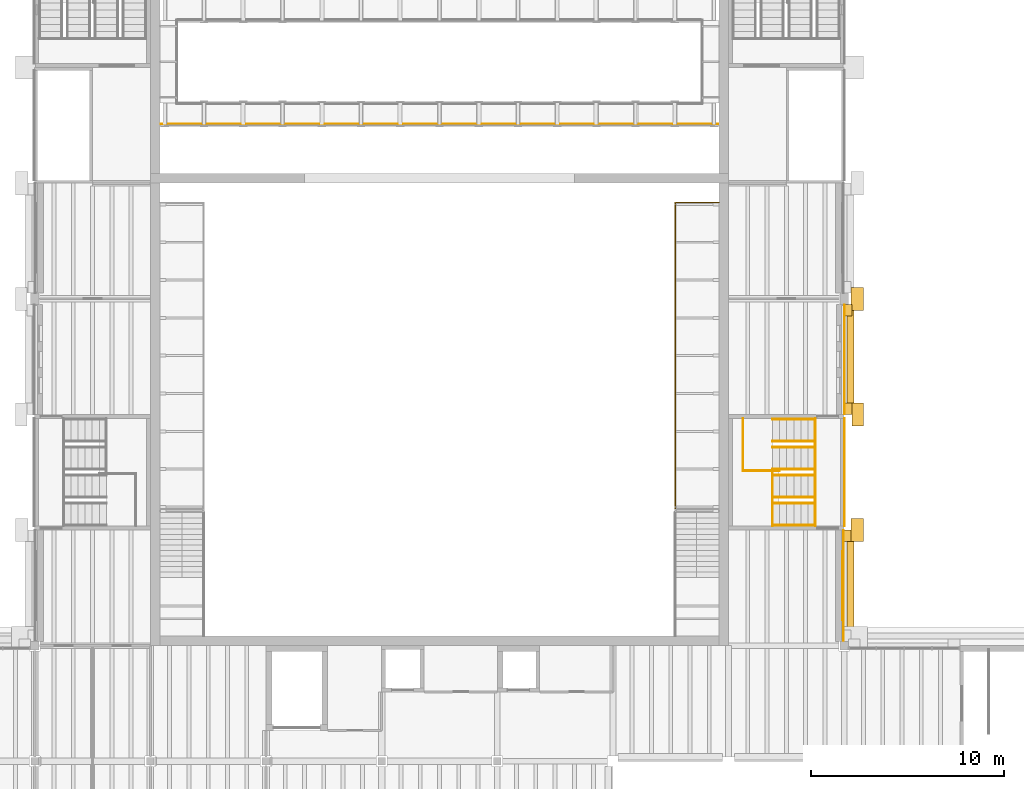
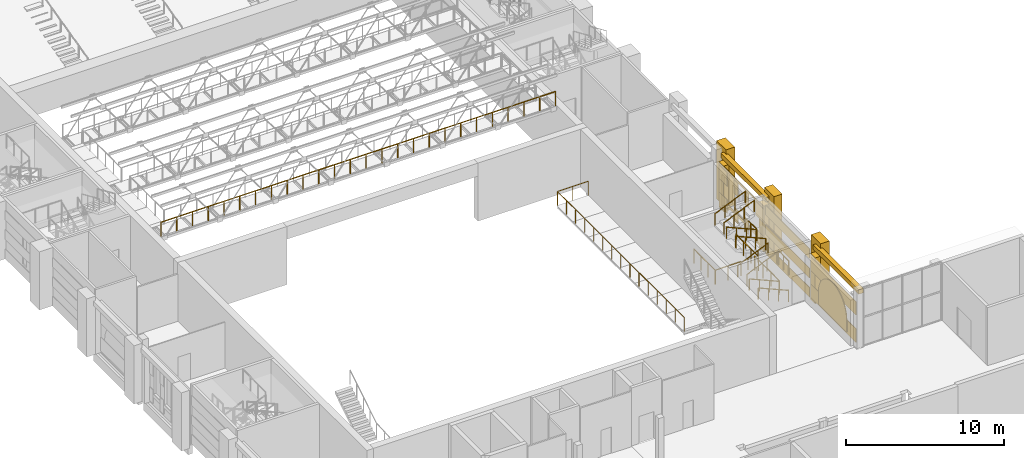
# One storey, part 57 of 70: 24 coverings, 16 railings.
"""IFC4 building model written with IfcOpenShell, lengths in metres."""

from ifc_helpers import new_model, si_unit, direction, frame, origin, origin_2d, place, context, subcontext, project, spatial, polyline, rectangle, circle, outline, extrude, material, layer, layer_set, type_object, element, save


model = new_model("IFC4")

# Units and contexts
model_context = context("Model", 3, precision=1e-05, world=origin(), true_north=direction((0.0, 1.0)))
body_context = subcontext(model_context, "Body", "Model", "MODEL_VIEW")
ifc_project = project(units=[si_unit("LENGTHUNIT", "METRE"), si_unit("AREAUNIT", "SQUARE_METRE"), si_unit("VOLUMEUNIT", "CUBIC_METRE"), si_unit("PLANEANGLEUNIT", "RADIAN"), si_unit("MASSUNIT", "GRAM", prefix="KILO")], contexts=[model_context])

# Site, building, storey
site_placement = place(None, origin())
site = spatial("IfcSite", under=ifc_project, at=site_placement, CompositionType="ELEMENT")
building_placement = place(site_placement, origin())
building = spatial("IfcBuilding", under=site, at=building_placement, Name="Saffron Lane Theatres", CompositionType="ELEMENT")
storey_placement = place(building_placement, frame((0.0, 0.0, 12.0)))
storey = spatial("IfcBuildingStorey", under=building, at=storey_placement, Name="L02", CompositionType="ELEMENT", Elevation=12.0)

# Coverings
ifc_material_1 = material(Name="Masonry pale clay brick", Category="masonry")
ifc_layer_1 = layer(ifc_material_1, 0.050048828125)
ifc_layer_set_1 = layer_set([ifc_layer_1], Name="Masonry pale clay brick")
covering_type_1 = type_object("IfcCoveringType", Name="EX-ARCH PANEL BRICK 50", PredefinedType="CLADDING", material=ifc_layer_set_1)
covering_1_placement = place(storey_placement, frame((53.89990234375, 34.912109375, 1.199951171875), z_axis=(-1.0, 0.0, 0.0), x_axis=(0.0, 0.0, -1.0)))
element("IfcCovering", 1, at=covering_1_placement, inside=storey, type_object=covering_type_1, Name="Blind arch panel 18", PredefinedType="CLADDING", context=body_context, shape_type="SweptSolid", body=[
    extrude(outline(polyline([(0.0, 0.0), (0.89990234375, 0.0), (0.89990234375, 3.60009765625), (0.0, 3.60009765625), (-0.28515625, 3.578125), (-0.56201171875, 3.51220703125), (-0.8271484375, 3.405029296875), (-1.071044921875, 3.258056640625), (-1.291015625, 3.0751953125), (-1.47900390625, 2.861083984375), (-1.633056640625, 2.6201171875), (-1.7470703125, 2.359130859375), (-1.820068359375, 2.0830078125), (-1.85009765625, 1.800048828125), (-1.820068359375, 1.51611328125), (-1.7470703125, 1.239990234375), (-1.633056640625, 0.97900390625), (-1.47900390625, 0.738037109375), (-1.291015625, 0.524169921875), (-1.071044921875, 0.341064453125), (-0.8271484375, 0.194091796875), (-0.56201171875, 0.087158203125), (-0.28515625, 0.02099609375), (0.0, 0.0)])), origin(), (0.0, 0.0, -1.0), 0.050048828125),
])
ifc_material_2 = material(Name="Masonry sandstone", Category="masonry")
ifc_layer_2 = layer(ifc_material_2, 0.0400390625)
ifc_layer_set_2 = layer_set([ifc_layer_2], Name="Masonry sandstone")
covering_type_2 = type_object("IfcCoveringType", Name="EX-BANDING COURSE SANDSTONE 40", PredefinedType="CLADDING", material=ifc_layer_set_2)
for number, where, z_axis, x_axis, name in (
    (2, (54.02001953125, 39.0, 0.0), (0.0, 0.0, 1.0), (0.0, 1.0, 0.0), "Banding course L02"),
    (3, (54.02001953125, 39.0, 1.5), (0.0, 0.0, 1.0), (0.0, 1.0, 0.0), "Banding course L02"),
    (4, (54.02001953125, 39.0, 3.0), (0.0, 0.0, 1.0), (0.0, 1.0, 0.0), "Banding course L02"),
):
    element("IfcCovering", number, at=place(storey_placement, frame(where, z_axis=z_axis, x_axis=x_axis)), inside=storey, type_object=covering_type_2, Name=name, PredefinedType="CLADDING", context=body_context, shape_type="SweptSolid", body=[
        extrude(rectangle(XDim=5.60009765625, YDim=0.0400390625, at=origin_2d()), origin(), (0.0, 0.0, 1.0), 0.75),
    ])
ifc_material_3 = material(Name="Face brick cladding, pale buff", Category="masonry")
ifc_layer_3 = layer(ifc_material_3, 0.0400390625)
ifc_layer_set_3 = layer_set([ifc_layer_3], Name="Face brick cladding, pale buff")
covering_type_3 = type_object("IfcCoveringType", Name="EX-FACE BRICK CLADDING PALE BUFF 40", PredefinedType="CLADDING", material=ifc_layer_set_3)
covering_2_placement = place(storey_placement, frame((54.02001953125, 47.172119140625, 0.14990234375), z_axis=(0.0, 0.0, 1.0), x_axis=(0.0, -1.0, 0.0)))
element("IfcCovering", 5, at=covering_2_placement, inside=storey, type_object=covering_type_3, Name="Cladding course L02", PredefinedType="CLADDING", context=body_context, shape_type="SweptSolid", body=[
    extrude(rectangle(XDim=1.054931640625, YDim=0.0400390625, at=origin_2d()), origin(), (0.0, 0.0, 1.0), 1.050048828125),
])
for number, where, z_axis, x_axis, name in (
    (6, (54.02001953125, 45.52490234375, 0.14990234375), (0.0, 0.0, 1.0), (0.0, -1.0, 0.0), "Cladding course L02"),
    (7, (54.02001953125, 44.175048828125, 0.14990234375), (0.0, 0.0, 1.0), (0.0, -1.0, 0.0), "Cladding course L02"),
):
    element("IfcCovering", number, at=place(storey_placement, frame(where, z_axis=z_axis, x_axis=x_axis)), inside=storey, type_object=covering_type_3, Name=name, PredefinedType="CLADDING", context=body_context, shape_type="SweptSolid", body=[
        extrude(rectangle(XDim=0.4599609375, YDim=0.0400390625, at=origin_2d()), origin(), (0.0, 0.0, 1.0), 1.050048828125),
    ])
for number, where, z_axis, x_axis, name in (
    (8, (54.02001953125, 42.528076171875, 0.14990234375), (0.0, 0.0, 1.0), (0.0, -1.0, 0.0), "Cladding course L02"),
    (9, (54.02001953125, 47.172119140625, 2.25), (0.0, 0.0, 1.0), (0.0, -1.0, 0.0), "Cladding course L02"),
):
    element("IfcCovering", number, at=place(storey_placement, frame(where, z_axis=z_axis, x_axis=x_axis)), inside=storey, type_object=covering_type_3, Name=name, PredefinedType="CLADDING", context=body_context, shape_type="SweptSolid", body=[
        extrude(rectangle(XDim=1.054931640625, YDim=0.0400390625, at=origin_2d()), origin(), (0.0, 0.0, 1.0), 1.050048828125),
    ])
for number, where, z_axis, x_axis, name in (
    (10, (54.02001953125, 45.52490234375, 2.25), (0.0, 0.0, 1.0), (0.0, -1.0, 0.0), "Cladding course L02"),
    (11, (54.02001953125, 44.175048828125, 2.25), (0.0, 0.0, 1.0), (0.0, -1.0, 0.0), "Cladding course L02"),
):
    element("IfcCovering", number, at=place(storey_placement, frame(where, z_axis=z_axis, x_axis=x_axis)), inside=storey, type_object=covering_type_3, Name=name, PredefinedType="CLADDING", context=body_context, shape_type="SweptSolid", body=[
        extrude(rectangle(XDim=0.4599609375, YDim=0.0400390625, at=origin_2d()), origin(), (0.0, 0.0, 1.0), 1.050048828125),
    ])
covering_3_placement = place(storey_placement, frame((54.02001953125, 42.528076171875, 2.25), z_axis=(0.0, 0.0, 1.0), x_axis=(0.0, -1.0, 0.0)))
element("IfcCovering", 12, at=covering_3_placement, inside=storey, type_object=covering_type_3, Name="Cladding course L02", PredefinedType="CLADDING", context=body_context, shape_type="SweptSolid", body=[
    extrude(rectangle(XDim=1.054931640625, YDim=0.0400390625, at=origin_2d()), origin(), (0.0, 0.0, 1.0), 1.050048828125),
])
for number, where, z_axis, x_axis, name in (
    (13, (53.969970703125, 33.113037109375, 0.14990234375), (0.0, 0.0, 1.0), (0.0, -1.0, 0.0), "Cladding course L02"),
    (14, (53.969970703125, 33.113037109375, 2.25), (0.0, 0.0, 1.0), (0.0, -1.0, 0.0), "Cladding course L02"),
):
    element("IfcCovering", number, at=place(storey_placement, frame(where, z_axis=z_axis, x_axis=x_axis)), inside=storey, type_object=covering_type_3, Name=name, PredefinedType="CLADDING", context=body_context, shape_type="SweptSolid", body=[
        extrude(rectangle(XDim=5.77490234375, YDim=0.0400390625, at=origin_2d()), origin(), (0.0, 0.0, 1.0), 1.050048828125),
    ])
ifc_material_4 = material(Name="Masonry sandstone", Category="masonry")
ifc_layer_4 = layer(ifc_material_4, 1.199951171875)
ifc_layer_set_4 = layer_set([ifc_layer_4], Name="Masonry sandstone")
covering_type_4 = type_object("IfcCoveringType", Name="EX-FLANK BUTTRESS PIER SANDSTONE 1200", PredefinedType="CLADDING", material=ifc_layer_set_4)
covering_4_placement = place(storey_placement, frame((54.675048828125, 36.0, 0.0), z_axis=(0.0, 0.0, 1.0), x_axis=(0.0, 1.0, 0.0)))
element("IfcCovering", 15, at=covering_4_placement, inside=storey, type_object=covering_type_4, Name="Flank buttress east L02", PredefinedType="CLADDING", context=body_context, shape_type="SweptSolid", body=[
    extrude(rectangle(XDim=1.199951171875, YDim=0.64990234375, at=origin_2d()), origin(), (0.0, 0.0, 1.0), 4.5),
])
covering_5_placement = place(storey_placement, frame((54.699951171875, 42.0, 0.0), z_axis=(0.0, 0.0, 1.0), x_axis=(0.0, 1.0, 0.0)))
element("IfcCovering", 16, at=covering_5_placement, inside=storey, type_object=covering_type_4, Name="Flank buttress east L02", PredefinedType="CLADDING", context=body_context, shape_type="SweptSolid", body=[
    extrude(rectangle(XDim=1.199951171875, YDim=0.60009765625, at=origin_2d()), origin(), (0.0, 0.0, 1.0), 4.5),
])
covering_6_placement = place(storey_placement, frame((54.675048828125, 48.0, 0.0), z_axis=(0.0, 0.0, 1.0), x_axis=(0.0, 1.0, 0.0)))
element("IfcCovering", 17, at=covering_6_placement, inside=storey, type_object=covering_type_4, Name="Flank buttress east L02", PredefinedType="CLADDING", context=body_context, shape_type="SweptSolid", body=[
    extrude(rectangle(XDim=1.199951171875, YDim=0.64990234375, at=origin_2d()), origin(), (0.0, 0.0, 1.0), 4.5),
])
ifc_material_5 = material(Name="Masonry sandstone", Category="masonry")
ifc_layer_5 = layer(ifc_material_5, 0.0400390625)
ifc_layer_set_5 = layer_set([ifc_layer_5], Name="Masonry sandstone")
covering_type_5 = type_object("IfcCoveringType", Name="EX-HEAD COURSE SANDSTONE 150", PredefinedType="CLADDING", material=ifc_layer_set_5)
covering_7_placement = place(storey_placement, frame((54.02001953125, 44.85009765625, 3.35009765625), z_axis=(0.0, 0.0, 1.0), x_axis=(0.0, -1.0, 0.0)))
element("IfcCovering", 18, at=covering_7_placement, inside=storey, type_object=covering_type_5, Name="Facade head course L02", PredefinedType="CLADDING", context=body_context, shape_type="SweptSolid", body=[
    extrude(rectangle(XDim=5.699951171875, YDim=0.0400390625, at=origin_2d()), origin(), (0.0, 0.0, 1.0), 0.14990234375),
])
ifc_material_6 = material(Name="Masonry sandstone", Category="masonry")
ifc_layer_6 = layer(ifc_material_6, 0.39990234375)
ifc_layer_set_6 = layer_set([ifc_layer_6], Name="Masonry sandstone")
covering_type_6 = type_object("IfcCoveringType", Name="EX-PILASTER PIER SANDSTONE 400", PredefinedType="CLADDING", material=ifc_layer_set_6)
for number, where, z_axis, x_axis, name in (
    (19, (54.199951171875, 47.39990234375, 0.0), (0.0, 0.0, 1.0), (0.0, -1.0, 0.0), "Pilaster pier L02"),
    (20, (54.199951171875, 42.300048828125, 0.0), (0.0, 0.0, 1.0), (0.0, -1.0, 0.0), "Pilaster pier L02"),
    (21, (54.14990234375, 35.699951171875, 0.0), (0.0, 0.0, 1.0), (0.0, -1.0, 0.0), "Pilaster pier L02"),
):
    element("IfcCovering", number, at=place(storey_placement, frame(where, z_axis=z_axis, x_axis=x_axis)), inside=storey, type_object=covering_type_6, Name=name, PredefinedType="CLADDING", context=body_context, shape_type="SweptSolid", body=[
        extrude(rectangle(XDim=0.60009765625, YDim=0.39990234375, at=origin_2d()), origin(), (0.0, 0.0, 1.0), 3.550048828125),
    ])
ifc_material_7 = material(Name="Masonry sandstone", Category="masonry")
ifc_layer_7 = layer(ifc_material_7, 0.0400390625)
ifc_layer_set_7 = layer_set([ifc_layer_7], Name="Masonry sandstone")
covering_type_7 = type_object("IfcCoveringType", Name="EX-SILL COURSE SANDSTONE 250", PredefinedType="CLADDING", material=ifc_layer_set_7)
covering_8_placement = place(storey_placement, frame((54.02001953125, 44.85009765625, 0.64990234375), z_axis=(0.0, 0.0, 1.0), x_axis=(0.0, -1.0, 0.0)))
element("IfcCovering", 22, at=covering_8_placement, inside=storey, type_object=covering_type_7, Name="Facade sill course L02", PredefinedType="CLADDING", context=body_context, shape_type="SweptSolid", body=[
    extrude(rectangle(XDim=5.699951171875, YDim=0.0400390625, at=origin_2d()), origin(), (0.0, 0.0, 1.0), 0.25),
])
ifc_material_8 = material(Name="Masonry sandstone", Category="masonry")
ifc_layer_8 = layer(ifc_material_8, 0.300048828125)
ifc_layer_set_8 = layer_set([ifc_layer_8], Name="Masonry sandstone")
covering_type_8 = type_object("IfcCoveringType", Name="EX-STRING COURSE SANDSTONE 350", PredefinedType="CLADDING", material=ifc_layer_set_8)
covering_9_placement = place(storey_placement, frame((54.324951171875, 44.85009765625, 3.800048828125), z_axis=(0.0, 0.0, 1.0), x_axis=(0.0, -1.0, 0.0)))
element("IfcCovering", 23, at=covering_9_placement, inside=storey, type_object=covering_type_8, Name="String course L02", PredefinedType="CLADDING", context=body_context, shape_type="SweptSolid", body=[
    extrude(rectangle(XDim=5.699951171875, YDim=0.35009765625, at=origin_2d()), origin(), (0.0, 0.0, 1.0), 0.35009765625),
])
covering_10_placement = place(storey_placement, frame((54.324951171875, 33.112060546875, 3.800048828125), z_axis=(0.0, 0.0, 1.0), x_axis=(0.0, -1.0, 0.0)))
element("IfcCovering", 24, at=covering_10_placement, inside=storey, type_object=covering_type_8, Name="String course L02", PredefinedType="CLADDING", context=body_context, shape_type="SweptSolid", body=[
    extrude(rectangle(XDim=5.77490234375, YDim=0.35009765625, at=origin_2d()), origin(), (0.0, 0.0, 1.0), 0.35009765625),
])

# Railings
ifc_material_9 = material(Name="Steel Grade 350", Category="steel")
railing_type_1 = type_object("IfcRailingType", Name="VC-GUARD 1100", PredefinedType="GUARDRAIL", material=ifc_material_9)
railing_1_placement = place(storey_placement, frame((48.75, 39.10009765625, 1.125)))
element("IfcRailing", 25, at=railing_1_placement, inside=storey, type_object=railing_type_1, Name="Stage East Stair landing guard 3N1s", PredefinedType="GUARDRAIL", context=body_context, shape_type="SweptSolid", body=[
    extrude(circle(Radius=0.02392578125, at=origin_2d()), frame((0.0, 0.0, 1.076171875), z_axis=(0.0, 1.0, 0.0), x_axis=(-1.0, 0.0, 0.0)), (0.0, 0.0, 1.0), 2.669921875),
    extrude(circle(Radius=0.02099609375, at=origin_2d()), origin(), (0.0, 0.0, 1.0), 1.052001953125),
    extrude(circle(Radius=0.02099609375, at=origin_2d()), frame((0.0, 0.889892578125, 0.0)), (0.0, 0.0, 1.0), 1.052001953125),
    extrude(circle(Radius=0.02099609375, at=origin_2d()), frame((0.0, 1.780029296875, 0.0)), (0.0, 0.0, 1.0), 1.052001953125),
    extrude(circle(Radius=0.02099609375, at=origin_2d()), frame((0.0, 2.669921875, 0.0)), (0.0, 0.0, 1.0), 1.052001953125),
])
railing_2_placement = place(storey_placement, frame((50.6298828125, 39.070068359375, 1.125)))
element("IfcRailing", 26, at=railing_2_placement, inside=storey, type_object=railing_type_1, Name="Stage East Stair landing guard 3N1e", PredefinedType="GUARDRAIL", context=body_context, shape_type="SweptSolid", body=[
    extrude(circle(Radius=0.02392578125, at=origin_2d()), frame((0.0, 0.0, 1.076171875), z_axis=(-1.0, 0.0, 0.0), x_axis=(0.0, -1.0, 0.0)), (0.0, 0.0, 1.0), 1.8798828125),
    extrude(circle(Radius=0.02099609375, at=origin_2d()), origin(), (0.0, 0.0, 1.0), 1.052001953125),
    extrude(circle(Radius=0.02099609375, at=origin_2d()), frame((-0.93994140625, 0.0, 0.0)), (0.0, 0.0, 1.0), 1.052001953125),
    extrude(circle(Radius=0.02099609375, at=origin_2d()), frame((-1.8798828125, 0.0, 0.0)), (0.0, 0.0, 1.0), 1.052001953125),
])
railing_3_placement = place(storey_placement, frame((50.280029296875, 36.22998046875, 3.375)))
element("IfcRailing", 27, at=railing_3_placement, inside=storey, type_object=railing_type_1, Name="Stage East Stair landing guard 3N2s", PredefinedType="GUARDRAIL", context=body_context, shape_type="SweptSolid", body=[
    extrude(circle(Radius=0.02392578125, at=origin_2d()), frame((0.0, 0.0, 1.076171875), z_axis=(0.0, 1.0, 0.0), x_axis=(-1.0, 0.0, 0.0)), (0.0, 0.0, 1.0), 2.8701171875),
    extrude(circle(Radius=0.02099609375, at=origin_2d()), origin(), (0.0, 0.0, 1.0), 1.052001953125),
    extrude(circle(Radius=0.02099609375, at=origin_2d()), frame((0.0, 0.956787109375, 0.0)), (0.0, 0.0, 1.0), 1.052001953125),
    extrude(circle(Radius=0.02099609375, at=origin_2d()), frame((0.0, 1.913330078125, 0.0)), (0.0, 0.0, 1.0), 1.052001953125),
    extrude(circle(Radius=0.02099609375, at=origin_2d()), frame((0.0, 2.8701171875, 0.0)), (0.0, 0.0, 1.0), 1.052001953125),
])
railing_4_placement = place(storey_placement, frame((52.5, 36.22998046875, 2.25)))
element("IfcRailing", 28, at=railing_4_placement, inside=storey, type_object=railing_type_1, Name="Stage East Stair landing guard 3S2w", PredefinedType="GUARDRAIL", context=body_context, shape_type="SweptSolid", body=[
    extrude(circle(Radius=0.02392578125, at=origin_2d()), frame((0.0, 0.0, 1.076171875), z_axis=(0.0, 1.0, 0.0), x_axis=(-1.0, 0.0, 0.0)), (0.0, 0.0, 1.0), 1.320068359375),
    extrude(circle(Radius=0.02099609375, at=origin_2d()), origin(), (0.0, 0.0, 1.0), 1.052001953125),
    extrude(circle(Radius=0.02099609375, at=origin_2d()), frame((0.0, 0.66015625, 0.0)), (0.0, 0.0, 1.0), 1.052001953125),
    extrude(circle(Radius=0.02099609375, at=origin_2d()), frame((0.0, 1.320068359375, 0.0)), (0.0, 0.0, 1.0), 1.052001953125),
])
railing_5_placement = place(storey_placement, frame((52.5, 40.35009765625, 2.25)))
element("IfcRailing", 29, at=railing_5_placement, inside=storey, type_object=railing_type_1, Name="Stage East Stair landing guard 3S2e", PredefinedType="GUARDRAIL", context=body_context, shape_type="SweptSolid", body=[
    extrude(circle(Radius=0.02392578125, at=origin_2d()), frame((0.0, 0.0, 1.076171875), z_axis=(0.0, 1.0, 0.0), x_axis=(-1.0, 0.0, 0.0)), (0.0, 0.0, 1.0), 1.419921875),
    extrude(circle(Radius=0.02099609375, at=origin_2d()), origin(), (0.0, 0.0, 1.0), 1.052001953125),
    extrude(circle(Radius=0.02099609375, at=origin_2d()), frame((0.0, 0.7099609375, 0.0)), (0.0, 0.0, 1.0), 1.052001953125),
    extrude(circle(Radius=0.02099609375, at=origin_2d()), frame((0.0, 1.419921875, 0.0)), (0.0, 0.0, 1.0), 1.052001953125),
])
railing_6_placement = place(storey_placement, frame((52.5, 37.449951171875, 0.0)))
element("IfcRailing", 30, at=railing_6_placement, inside=storey, type_object=railing_type_1, Name="Stage East Stair guard L02", PredefinedType="GUARDRAIL", context=body_context, shape_type="SweptSolid", body=[
    extrude(circle(Radius=0.02392578125, at=origin_2d()), frame((0.0, 0.0, 1.076171875), z_axis=(0.0, 1.0, 0.0), x_axis=(-1.0, 0.0, 0.0)), (0.0, 0.0, 1.0), 3.10009765625),
    extrude(circle(Radius=0.02099609375, at=origin_2d()), origin(), (0.0, 0.0, 1.0), 1.052001953125),
    extrude(circle(Radius=0.02099609375, at=origin_2d()), frame((0.0, 1.033447265625, 0.0)), (0.0, 0.0, 1.0), 1.052001953125),
    extrude(circle(Radius=0.02099609375, at=origin_2d()), frame((0.0, 2.066650390625, 0.0)), (0.0, 0.0, 1.0), 1.052001953125),
    extrude(circle(Radius=0.02099609375, at=origin_2d()), frame((0.0, 3.10009765625, 0.0)), (0.0, 0.0, 1.0), 1.052001953125),
])
ifc_material_10 = material(Name="Steel Grade 350", Category="steel")
railing_type_2 = type_object("IfcRailingType", Name="VC-HANDRAIL 900", PredefinedType="HANDRAIL", material=ifc_material_10)
for number, where, name in (
    (31, (52.5, 36.25, 0.16064453125), "Stage East Stair handrail 3.1a"),
    (32, (52.5, 37.39990234375, 0.16064453125), "Stage East Stair handrail 3.1b"),
):
    element("IfcRailing", number, at=place(storey_placement, frame(where)), inside=storey, type_object=railing_type_2, Name=name, PredefinedType="HANDRAIL", context=body_context, shape_type="SweptSolid", body=[
        extrude(circle(Radius=0.02392578125, at=origin_2d()), frame((0.0, 0.0, 0.8759765625), z_axis=(-0.917161435653, 0.0, 0.398515872898), x_axis=(0.0, -1.0, 0.0)), (0.0, 0.0, 1.0), 0.806884765625),
        extrude(circle(Radius=0.02392578125, at=origin_2d()), frame((-0.739990234375, 0.0, 1.197265625), z_axis=(-0.917272012673, 0.0, 0.398261289567), x_axis=(0.0, -1.0, 0.0)), (0.0, 0.0, 1.0), 0.806640625),
        extrude(circle(Radius=0.02392578125, at=origin_2d()), frame((-1.47998046875, 0.0, 1.5185546875), z_axis=(-0.917161435653, 0.0, 0.398515872898), x_axis=(0.0, -1.0, 0.0)), (0.0, 0.0, 1.0), 0.806884765625),
        extrude(circle(Radius=0.02099609375, at=origin_2d()), origin(), (0.0, 0.0, 1.0), 0.851806640625),
        extrude(circle(Radius=0.02099609375, at=origin_2d()), frame((-0.739990234375, 0.0, 0.321533203125)), (0.0, 0.0, 1.0), 0.851806640625),
        extrude(circle(Radius=0.02099609375, at=origin_2d()), frame((-1.47998046875, 0.0, 0.642822265625)), (0.0, 0.0, 1.0), 0.851806640625),
        extrude(circle(Radius=0.02099609375, at=origin_2d()), frame((-2.219970703125, 0.0, 0.96435546875)), (0.0, 0.0, 1.0), 0.851806640625),
    ])
for number, where, name in (
    (33, (50.280029296875, 37.699951171875, 1.28564453125), "Stage East Stair handrail 3.2a"),
    (34, (50.280029296875, 38.85009765625, 1.28564453125), "Stage East Stair handrail 3.2b"),
):
    element("IfcRailing", number, at=place(storey_placement, frame(where)), inside=storey, type_object=railing_type_2, Name=name, PredefinedType="HANDRAIL", context=body_context, shape_type="SweptSolid", body=[
        extrude(circle(Radius=0.02392578125, at=origin_2d()), frame((0.0, 0.0, 0.8759765625), z_axis=(0.917161435653, 0.0, 0.398515872898), x_axis=(0.0, 1.0, 0.0)), (0.0, 0.0, 1.0), 0.806884765625),
        extrude(circle(Radius=0.02392578125, at=origin_2d()), frame((0.739990234375, 0.0, 1.197265625), z_axis=(0.917272012673, 0.0, 0.398261289567), x_axis=(0.0, 1.0, 0.0)), (0.0, 0.0, 1.0), 0.806640625),
        extrude(circle(Radius=0.02392578125, at=origin_2d()), frame((1.47998046875, 0.0, 1.5185546875), z_axis=(0.917161435653, 0.0, 0.398515872898), x_axis=(0.0, 1.0, 0.0)), (0.0, 0.0, 1.0), 0.806884765625),
        extrude(circle(Radius=0.02099609375, at=origin_2d()), origin(), (0.0, 0.0, 1.0), 0.851806640625),
        extrude(circle(Radius=0.02099609375, at=origin_2d()), frame((0.739990234375, 0.0, 0.321533203125)), (0.0, 0.0, 1.0), 0.851806640625),
        extrude(circle(Radius=0.02099609375, at=origin_2d()), frame((1.47998046875, 0.0, 0.642822265625)), (0.0, 0.0, 1.0), 0.851806640625),
        extrude(circle(Radius=0.02099609375, at=origin_2d()), frame((2.219970703125, 0.0, 0.96435546875)), (0.0, 0.0, 1.0), 0.851806640625),
    ])
for number, where, name in (
    (35, (52.5, 39.14990234375, 2.41064453125), "Stage East Stair handrail 3.3a"),
    (36, (52.5, 40.300048828125, 2.41064453125), "Stage East Stair handrail 3.3b"),
):
    element("IfcRailing", number, at=place(storey_placement, frame(where)), inside=storey, type_object=railing_type_2, Name=name, PredefinedType="HANDRAIL", context=body_context, shape_type="SweptSolid", body=[
        extrude(circle(Radius=0.02392578125, at=origin_2d()), frame((0.0, 0.0, 0.8759765625), z_axis=(-0.917161435653, 0.0, 0.398515872898), x_axis=(0.0, -1.0, 0.0)), (0.0, 0.0, 1.0), 0.806884765625),
        extrude(circle(Radius=0.02392578125, at=origin_2d()), frame((-0.739990234375, 0.0, 1.197265625), z_axis=(-0.917272012673, 0.0, 0.398261289567), x_axis=(0.0, -1.0, 0.0)), (0.0, 0.0, 1.0), 0.806640625),
        extrude(circle(Radius=0.02392578125, at=origin_2d()), frame((-1.47998046875, 0.0, 1.5185546875), z_axis=(-0.917161435653, 0.0, 0.398515872898), x_axis=(0.0, -1.0, 0.0)), (0.0, 0.0, 1.0), 0.806884765625),
        extrude(circle(Radius=0.02099609375, at=origin_2d()), origin(), (0.0, 0.0, 1.0), 0.851806640625),
        extrude(circle(Radius=0.02099609375, at=origin_2d()), frame((-0.739990234375, 0.0, 0.321533203125)), (0.0, 0.0, 1.0), 0.851806640625),
        extrude(circle(Radius=0.02099609375, at=origin_2d()), frame((-1.47998046875, 0.0, 0.642822265625)), (0.0, 0.0, 1.0), 0.851806640625),
        extrude(circle(Radius=0.02099609375, at=origin_2d()), frame((-2.219970703125, 0.0, 0.96435546875)), (0.0, 0.0, 1.0), 0.851806640625),
    ])
for number, where, name in (
    (37, (50.280029296875, 40.60009765625, 3.53564453125), "Stage East Stair handrail 3.4a"),
    (38, (50.280029296875, 41.75, 3.53564453125), "Stage East Stair handrail 3.4b"),
):
    element("IfcRailing", number, at=place(storey_placement, frame(where)), inside=storey, type_object=railing_type_2, Name=name, PredefinedType="HANDRAIL", context=body_context, shape_type="SweptSolid", body=[
        extrude(circle(Radius=0.02392578125, at=origin_2d()), frame((0.0, 0.0, 0.8759765625), z_axis=(0.917161435653, 0.0, 0.398515872898), x_axis=(0.0, 1.0, 0.0)), (0.0, 0.0, 1.0), 0.806884765625),
        extrude(circle(Radius=0.02392578125, at=origin_2d()), frame((0.739990234375, 0.0, 1.197265625), z_axis=(0.917272012673, 0.0, 0.398261289567), x_axis=(0.0, 1.0, 0.0)), (0.0, 0.0, 1.0), 0.806640625),
        extrude(circle(Radius=0.02392578125, at=origin_2d()), frame((1.47998046875, 0.0, 1.5185546875), z_axis=(0.917161435653, 0.0, 0.398515872898), x_axis=(0.0, 1.0, 0.0)), (0.0, 0.0, 1.0), 0.806884765625),
        extrude(circle(Radius=0.02099609375, at=origin_2d()), origin(), (0.0, 0.0, 1.0), 0.851806640625),
        extrude(circle(Radius=0.02099609375, at=origin_2d()), frame((0.739990234375, 0.0, 0.321533203125)), (0.0, 0.0, 1.0), 0.851806640625),
        extrude(circle(Radius=0.02099609375, at=origin_2d()), frame((1.47998046875, 0.0, 0.642822265625)), (0.0, 0.0, 1.0), 0.851806640625),
        extrude(circle(Radius=0.02099609375, at=origin_2d()), frame((2.219970703125, 0.0, 0.96435546875)), (0.0, 0.0, 1.0), 0.851806640625),
    ])
railing_7_placement = place(storey_placement, frame((45.239990234375, 36.89990234375, 0.0)))
element("IfcRailing", 39, at=railing_7_placement, inside=storey, Name="FRE12", PredefinedType="GUARDRAIL", context=body_context, shape_type="SweptSolid", body=[
    extrude(circle(Radius=0.02392578125, at=origin_2d()), frame((0.0, 0.0, 1.076171875), z_axis=(0.0, 1.0, 0.0), x_axis=(-1.0, 0.0, 0.0)), (0.0, 0.0, 1.0), 16.10009765625),
    extrude(circle(Radius=0.02392578125, at=origin_2d()), frame((0.0, 16.10009765625, 1.076171875), z_axis=(1.0, 0.0, 0.0), x_axis=(0.0, 1.0, 0.0)), (0.0, 0.0, 1.0), 2.260009765625),
    extrude(circle(Radius=0.02099609375, at=origin_2d()), origin(), (0.0, 0.0, 1.0), 1.052001953125),
    extrude(circle(Radius=0.02099609375, at=origin_2d()), frame((0.0, 1.14990234375, 0.0)), (0.0, 0.0, 1.0), 1.052001953125),
    extrude(circle(Radius=0.02099609375, at=origin_2d()), frame((0.0, 2.300048828125, 0.0)), (0.0, 0.0, 1.0), 1.052001953125),
    extrude(circle(Radius=0.02099609375, at=origin_2d()), frame((0.0, 3.449951171875, 0.0)), (0.0, 0.0, 1.0), 1.052001953125),
    extrude(circle(Radius=0.02099609375, at=origin_2d()), frame((0.0, 4.60009765625, 0.0)), (0.0, 0.0, 1.0), 1.052001953125),
    extrude(circle(Radius=0.02099609375, at=origin_2d()), frame((0.0, 5.75, 0.0)), (0.0, 0.0, 1.0), 1.052001953125),
    extrude(circle(Radius=0.02099609375, at=origin_2d()), frame((0.0, 6.900146484375, 0.0)), (0.0, 0.0, 1.0), 1.052001953125),
    extrude(circle(Radius=0.02099609375, at=origin_2d()), frame((0.0, 8.050048828125, 0.0)), (0.0, 0.0, 1.0), 1.052001953125),
    extrude(circle(Radius=0.02099609375, at=origin_2d()), frame((0.0, 9.199951171875, 0.0)), (0.0, 0.0, 1.0), 1.052001953125),
    extrude(circle(Radius=0.02099609375, at=origin_2d()), frame((0.0, 10.35009765625, 0.0)), (0.0, 0.0, 1.0), 1.052001953125),
    extrude(circle(Radius=0.02099609375, at=origin_2d()), frame((0.0, 11.5, 0.0)), (0.0, 0.0, 1.0), 1.052001953125),
    extrude(circle(Radius=0.02099609375, at=origin_2d()), frame((0.0, 12.650146484375, 0.0)), (0.0, 0.0, 1.0), 1.052001953125),
    extrude(circle(Radius=0.02099609375, at=origin_2d()), frame((0.0, 13.800048828125, 0.0)), (0.0, 0.0, 1.0), 1.052001953125),
    extrude(circle(Radius=0.02099609375, at=origin_2d()), frame((0.0, 14.9501953125, 0.0)), (0.0, 0.0, 1.0), 1.052001953125),
    extrude(circle(Radius=0.02099609375, at=origin_2d()), frame((0.0, 16.10009765625, 0.0)), (0.0, 0.0, 1.0), 1.052001953125),
    extrude(circle(Radius=0.02099609375, at=origin_2d()), frame((1.1298828125, 16.10009765625, 0.0)), (0.0, 0.0, 1.0), 1.052001953125),
    extrude(circle(Radius=0.02099609375, at=origin_2d()), frame((2.260009765625, 16.10009765625, 0.0)), (0.0, 0.0, 1.0), 1.052001953125),
])
railing_8_placement = place(storey_placement, frame((18.550048828125, 57.070068359375, 4.5)))
element("IfcRailing", 40, at=railing_8_placement, inside=storey, Name="LR1a", PredefinedType="GUARDRAIL", context=body_context, shape_type="SweptSolid", body=[
    extrude(circle(Radius=0.02392578125, at=origin_2d()), frame((0.0, 0.0, 1.076171875), z_axis=(1.0, 0.0, 0.0), x_axis=(0.0, 1.0, 0.0)), (0.0, 0.0, 1.0), 28.89990234375),
    extrude(circle(Radius=0.02099609375, at=origin_2d()), origin(), (0.0, 0.0, 1.0), 1.052001953125),
    extrude(circle(Radius=0.02099609375, at=origin_2d()), frame((1.156005859375, 0.0, 0.0)), (0.0, 0.0, 1.0), 1.052001953125),
    extrude(circle(Radius=0.02099609375, at=origin_2d()), frame((2.31201171875, 0.0, 0.0)), (0.0, 0.0, 1.0), 1.052001953125),
    extrude(circle(Radius=0.02099609375, at=origin_2d()), frame((3.468017578125, 0.0, 0.0)), (0.0, 0.0, 1.0), 1.052001953125),
    extrude(circle(Radius=0.02099609375, at=origin_2d()), frame((4.6240234375, 0.0, 0.0)), (0.0, 0.0, 1.0), 1.052001953125),
    extrude(circle(Radius=0.02099609375, at=origin_2d()), frame((5.780029296875, 0.0, 0.0)), (0.0, 0.0, 1.0), 1.052001953125),
    extrude(circle(Radius=0.02099609375, at=origin_2d()), frame((6.93603515625, 0.0, 0.0)), (0.0, 0.0, 1.0), 1.052001953125),
    extrude(circle(Radius=0.02099609375, at=origin_2d()), frame((8.092041015625, 0.0, 0.0)), (0.0, 0.0, 1.0), 1.052001953125),
    extrude(circle(Radius=0.02099609375, at=origin_2d()), frame((9.248046875, 0.0, 0.0)), (0.0, 0.0, 1.0), 1.052001953125),
    extrude(circle(Radius=0.02099609375, at=origin_2d()), frame((10.404052734375, 0.0, 0.0)), (0.0, 0.0, 1.0), 1.052001953125),
    extrude(circle(Radius=0.02099609375, at=origin_2d()), frame((11.56005859375, 0.0, 0.0)), (0.0, 0.0, 1.0), 1.052001953125),
    extrude(circle(Radius=0.02099609375, at=origin_2d()), frame((12.716064453125, 0.0, 0.0)), (0.0, 0.0, 1.0), 1.052001953125),
    extrude(circle(Radius=0.02099609375, at=origin_2d()), frame((13.8720703125, 0.0, 0.0)), (0.0, 0.0, 1.0), 1.052001953125),
    extrude(circle(Radius=0.02099609375, at=origin_2d()), frame((15.02783203125, 0.0, 0.0)), (0.0, 0.0, 1.0), 1.052001953125),
    extrude(circle(Radius=0.02099609375, at=origin_2d()), frame((16.183837890625, 0.0, 0.0)), (0.0, 0.0, 1.0), 1.052001953125),
    extrude(circle(Radius=0.02099609375, at=origin_2d()), frame((17.33984375, 0.0, 0.0)), (0.0, 0.0, 1.0), 1.052001953125),
    extrude(circle(Radius=0.02099609375, at=origin_2d()), frame((18.495849609375, 0.0, 0.0)), (0.0, 0.0, 1.0), 1.052001953125),
    extrude(circle(Radius=0.02099609375, at=origin_2d()), frame((19.65185546875, 0.0, 0.0)), (0.0, 0.0, 1.0), 1.052001953125),
    extrude(circle(Radius=0.02099609375, at=origin_2d()), frame((20.807861328125, 0.0, 0.0)), (0.0, 0.0, 1.0), 1.052001953125),
    extrude(circle(Radius=0.02099609375, at=origin_2d()), frame((21.9638671875, 0.0, 0.0)), (0.0, 0.0, 1.0), 1.052001953125),
    extrude(circle(Radius=0.02099609375, at=origin_2d()), frame((23.119873046875, 0.0, 0.0)), (0.0, 0.0, 1.0), 1.052001953125),
    extrude(circle(Radius=0.02099609375, at=origin_2d()), frame((24.27587890625, 0.0, 0.0)), (0.0, 0.0, 1.0), 1.052001953125),
    extrude(circle(Radius=0.02099609375, at=origin_2d()), frame((25.431884765625, 0.0, 0.0)), (0.0, 0.0, 1.0), 1.052001953125),
    extrude(circle(Radius=0.02099609375, at=origin_2d()), frame((26.587890625, 0.0, 0.0)), (0.0, 0.0, 1.0), 1.052001953125),
    extrude(circle(Radius=0.02099609375, at=origin_2d()), frame((27.743896484375, 0.0, 0.0)), (0.0, 0.0, 1.0), 1.052001953125),
    extrude(circle(Radius=0.02099609375, at=origin_2d()), frame((28.89990234375, 0.0, 0.0)), (0.0, 0.0, 1.0), 1.052001953125),
])

save(model, "model.ifc")
